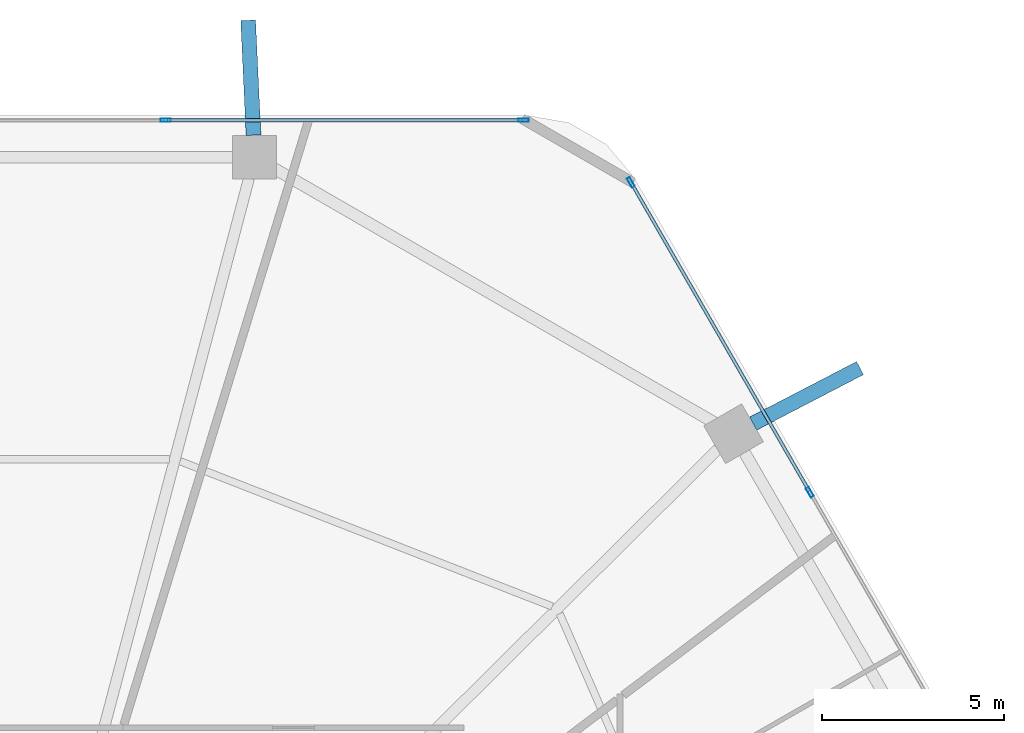
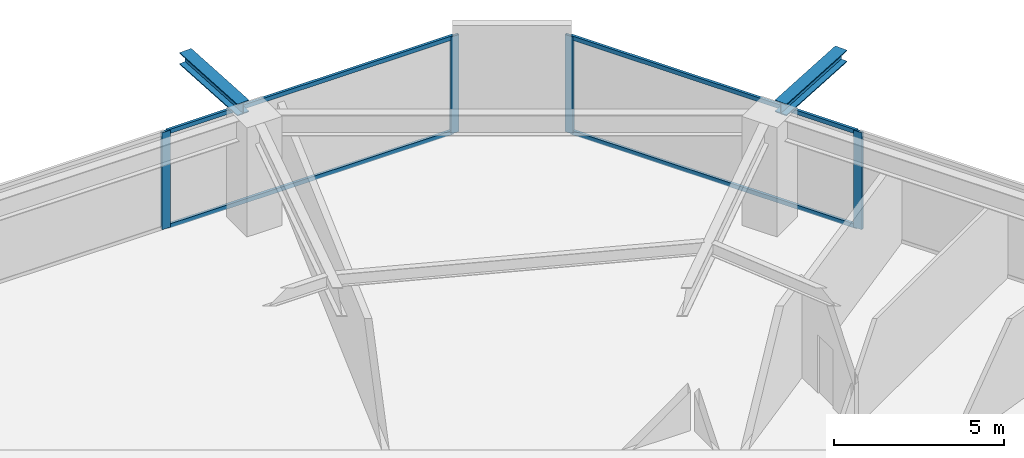
# One storey, part 19 of 25: 8 members, 2 beams, 2 elements without a shape of their own.
"""IFC4 building model written with IfcOpenShell, lengths in metres."""

from ifc_helpers import new_model, si_unit, direction, frame, origin, origin_2d, place, context, subcontext, project, spatial, hollow_rectangle, i_section, extrude, material, material_profile, profile_set, type_object, element, aggregate, save


model = new_model("IFC4")

# Units and contexts
model_context = context("Model", 3, precision=1e-05, world=origin(), true_north=direction((0.0, 1.0)))
body_context = subcontext(model_context, "Body", "Model", "MODEL_VIEW")
ifc_project = project(units=[si_unit("LENGTHUNIT", "METRE"), si_unit("AREAUNIT", "SQUARE_METRE"), si_unit("VOLUMEUNIT", "CUBIC_METRE"), si_unit("PLANEANGLEUNIT", "RADIAN"), si_unit("MASSUNIT", "GRAM", prefix="KILO")], contexts=[model_context])

# Site, building, storey
site_placement = place(None, origin())
site = spatial("IfcSite", under=ifc_project, at=site_placement, CompositionType="ELEMENT")
building_placement = place(site_placement, origin())
building = spatial("IfcBuilding", under=site, at=building_placement, Name="Zuhravey Tower", CompositionType="ELEMENT")
storey_placement = place(building_placement, frame((0.0, 0.0, 45.60009765625)))
storey = spatial("IfcBuildingStorey", under=building, at=storey_placement, Name="L11", CompositionType="ELEMENT", Elevation=45.60009765625)

# Curtain wall, members
ifc_material_1 = material(Name="Thermally broken anodised aluminium", Category="aluminium")
curtain_wall_type = type_object("IfcCurtainWallType", Name="School Low-E Unitised Curtain Wall CW1", PredefinedType="NOTDEFINED", material=ifc_material_1)
curtain_wall_1_placement = place(storey_placement, origin())
curtain_wall_1 = element("IfcCurtainWall", 1, at=curtain_wall_1_placement, inside=storey, type_object=curtain_wall_type, Name="L11 CW1 CW-L11-F2-1", PredefinedType="NOTDEFINED")
ifc_material_2 = material(Name="Anodised aluminium", Category="aluminium")
ifc_material_profile_1 = material_profile(ifc_material_2, hollow_rectangle(XDim=0.090087890625, YDim=0.284912109375, WallThickness=0.0048828125, at=origin_2d()), Name="ALU-RHS-90x285x5")
ifc_profile_set_1 = profile_set([ifc_material_profile_1], Name="Anodised aluminium")
member_type_1 = type_object("IfcMemberType", Name="Curtain-Wall Mullion 90x180", PredefinedType="MULLION", material=ifc_profile_set_1)
member_1_placement = place(storey_placement, frame((40.93310546875, 60.95849609375, 0.0), z_axis=(0.0, 0.0, 1.0), x_axis=(0.0, 1.0, 0.0)))
member_1 = element("IfcMember", 2, at=member_1_placement, type_object=member_type_1, Name="CW1 mullion 3", PredefinedType="MULLION", context=body_context, shape_type="SweptSolid", body=[
    extrude(hollow_rectangle(XDim=0.090087890625, YDim=0.284912109375, WallThickness=0.0048828125, at=origin_2d()), origin(), (0.0, 0.0, 1.0), 3.491943359375),
])
member_2_placement = place(storey_placement, frame((50.75439453125, 60.95849609375, 0.0), z_axis=(0.0, 0.0, 1.0), x_axis=(0.0, 1.0, 0.0)))
member_2 = element("IfcMember", 3, at=member_2_placement, type_object=member_type_1, Name="CW1 mullion 4", PredefinedType="MULLION", context=body_context, shape_type="SweptSolid", body=[
    extrude(hollow_rectangle(XDim=0.090087890625, YDim=0.284912109375, WallThickness=0.0048828125, at=origin_2d()), origin(), (0.0, 0.0, 1.0), 3.491943359375),
])

curtain_wall_2_placement = place(storey_placement, origin())
curtain_wall_2 = element("IfcCurtainWall", 4, at=curtain_wall_2_placement, inside=storey, type_object=curtain_wall_type, Name="L11 CW1 CW-L11-F1-1", PredefinedType="NOTDEFINED")
member_3_placement = place(storey_placement, frame((53.701416015625, 59.257080078125, 0.0), z_axis=(0.0, 0.0, 1.0), x_axis=(0.86602552265, 0.499999794119, 0.0)))
member_3 = element("IfcMember", 5, at=member_3_placement, type_object=member_type_1, Name="CW1 mullion 1", PredefinedType="MULLION", context=body_context, shape_type="SweptSolid", body=[
    extrude(hollow_rectangle(XDim=0.090087890625, YDim=0.284912109375, WallThickness=0.0048828125, at=origin_2d()), origin(), (0.0, 0.0, 1.0), 3.491943359375),
])
member_4_placement = place(storey_placement, frame((58.612060546875, 50.75146484375, 0.0), z_axis=(0.0, 0.0, 1.0), x_axis=(0.86602552265, 0.499999794119, 0.0)))
member_4 = element("IfcMember", 6, at=member_4_placement, type_object=member_type_1, Name="CW1 mullion 2", PredefinedType="MULLION", context=body_context, shape_type="SweptSolid", body=[
    extrude(hollow_rectangle(XDim=0.090087890625, YDim=0.284912109375, WallThickness=0.0048828125, at=origin_2d()), origin(), (0.0, 0.0, 1.0), 3.491943359375),
])

# Member
ifc_material_profile_2 = material_profile(ifc_material_2, hollow_rectangle(XDim=0.090087890625, YDim=0.14990234375, WallThickness=0.0048828125, at=origin_2d()), Name="ALU-RHS-90x150x5")
ifc_profile_set_2 = profile_set([ifc_material_profile_2], Name="Anodised aluminium")
member_type_2 = type_object("IfcMemberType", Name="Curtain-Wall Transom 90x150", PredefinedType="USERDEFINED", material=ifc_profile_set_2)
member_5_placement = place(storey_placement, frame((40.978271484375, 60.95849609375, 0.044921875), z_axis=(1.0, 0.0, 0.0), x_axis=(0.0, 1.0, 0.0)))
member_5 = element("IfcMember", 7, at=member_5_placement, type_object=member_type_2, Name="CW1 transom 3.1", ObjectType="TRANSOM", PredefinedType="USERDEFINED", context=body_context, shape_type="SweptSolid", body=[
    extrude(hollow_rectangle(XDim=0.090087890625, YDim=0.14990234375, WallThickness=0.0048828125, at=origin_2d()), origin(), (0.0, 0.0, 1.0), 9.731201171875),
])

member_6_placement = place(storey_placement, frame((40.978271484375, 60.95849609375, 3.447021484375), z_axis=(1.0, 0.0, 0.0), x_axis=(0.0, 1.0, 0.0)))
member_6 = element("IfcMember", 8, at=member_6_placement, type_object=member_type_2, Name="CW1 transom 3.2", ObjectType="TRANSOM", PredefinedType="USERDEFINED", context=body_context, shape_type="SweptSolid", body=[
    extrude(hollow_rectangle(XDim=0.090087890625, YDim=0.14990234375, WallThickness=0.0048828125, at=origin_2d()), origin(), (0.0, 0.0, 1.0), 9.731201171875),
])

aggregate(curtain_wall_1, [member_1, member_2, member_5, member_6])

member_7_placement = place(storey_placement, frame((53.72412109375, 59.218017578125, 0.044921875), z_axis=(0.499989576763, -0.86603142156, 0.0), x_axis=(0.86603142156, 0.499989576763, 0.0)))
member_7 = element("IfcMember", 9, at=member_7_placement, type_object=member_type_2, Name="CW1 transom 1.1", ObjectType="TRANSOM", PredefinedType="USERDEFINED", context=body_context, shape_type="SweptSolid", body=[
    extrude(hollow_rectangle(XDim=0.090087890625, YDim=0.14990234375, WallThickness=0.0048828125, at=origin_2d()), origin(), (0.0, 0.0, 1.0), 9.731201171875),
])

member_8_placement = place(storey_placement, frame((53.72412109375, 59.218017578125, 3.447021484375), z_axis=(0.499989576763, -0.86603142156, 0.0), x_axis=(0.86603142156, 0.499989576763, 0.0)))
member_8 = element("IfcMember", 10, at=member_8_placement, type_object=member_type_2, Name="CW1 transom 1.2", ObjectType="TRANSOM", PredefinedType="USERDEFINED", context=body_context, shape_type="SweptSolid", body=[
    extrude(hollow_rectangle(XDim=0.090087890625, YDim=0.14990234375, WallThickness=0.0048828125, at=origin_2d()), origin(), (0.0, 0.0, 1.0), 9.731201171875),
])

aggregate(curtain_wall_2, [member_3, member_4, member_7, member_8])

# Beams
ifc_material_3 = material(Name="Steel SM460", Category="steel")
ifc_material_profile_3 = material_profile(ifc_material_3, i_section(OverallWidth=0.406982421875, OverallDepth=0.427978515625, WebThickness=0.02001953125, FlangeThickness=0.034912109375, at=origin_2d()), Name="H-428x407x20x35")
ifc_profile_set_3 = profile_set([ifc_material_profile_3], Name="Steel SM460")
beam_type = type_object("IfcBeamType", Name="Exoskeleton Node Tie Beam H428x407", PredefinedType="BEAM", material=ifc_profile_set_3)
beam_1_placement = place(storey_placement, frame((57.0556640625, 52.635498046875, 3.705810546875), z_axis=(0.88761807039, 0.46058024395, 0.0), x_axis=(-0.46058024395, 0.88761807039, 0.0)))
element("IfcBeam", 11, at=beam_1_placement, inside=storey, type_object=beam_type, Name="L11 Exoskeleton Node Tie NT1-02", PredefinedType="BEAM", context=body_context, shape_type="SweptSolid", body=[
    extrude(i_section(OverallWidth=0.406982421875, OverallDepth=0.427978515625, WebThickness=0.02001953125, FlangeThickness=0.034912109375, at=origin_2d()), origin(), (0.0, 0.0, 1.0), 3.304443359375),
])
beam_2_placement = place(storey_placement, frame((43.341796875, 60.552490234375, 3.705810546875), z_axis=(-0.046667932631, 0.998910458482, 0.0), x_axis=(-0.998910458482, -0.046667932631, 0.0)))
element("IfcBeam", 12, at=beam_2_placement, inside=storey, type_object=beam_type, Name="L11 Exoskeleton Node Tie NT1-03", PredefinedType="BEAM", context=body_context, shape_type="SweptSolid", body=[
    extrude(i_section(OverallWidth=0.406982421875, OverallDepth=0.427978515625, WebThickness=0.02001953125, FlangeThickness=0.034912109375, at=origin_2d()), origin(), (0.0, 0.0, 1.0), 3.154541015625),
])

save(model, "model.ifc")
